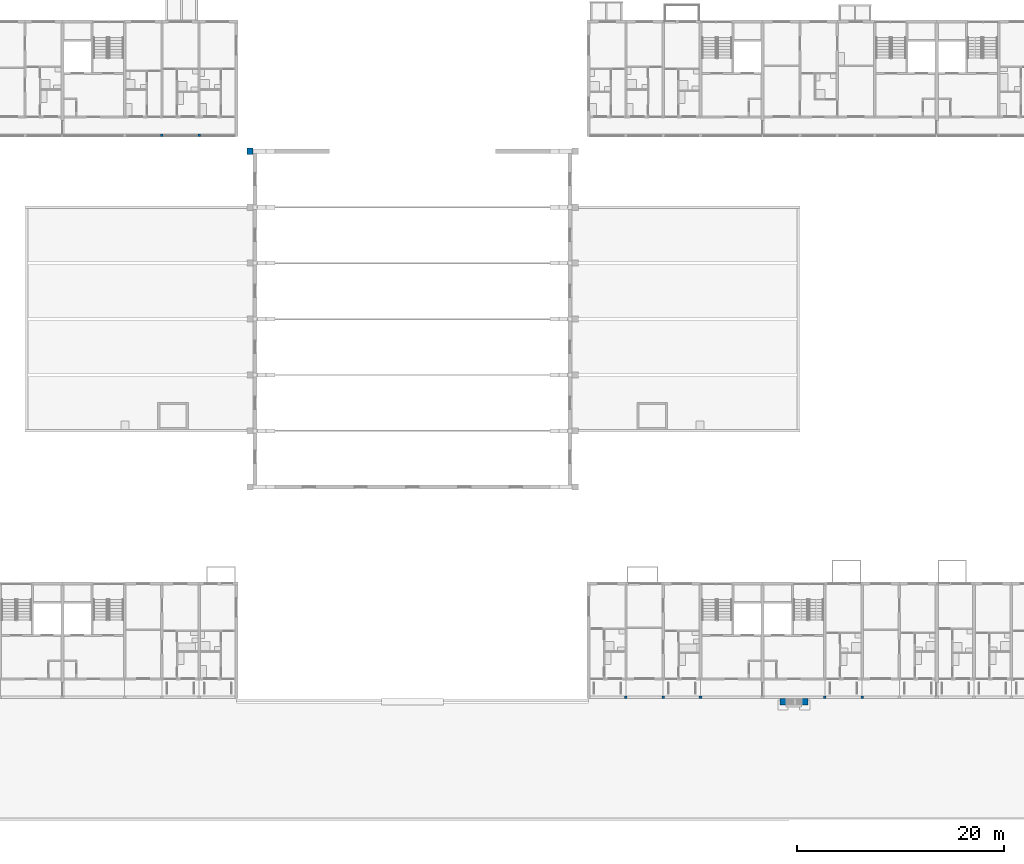
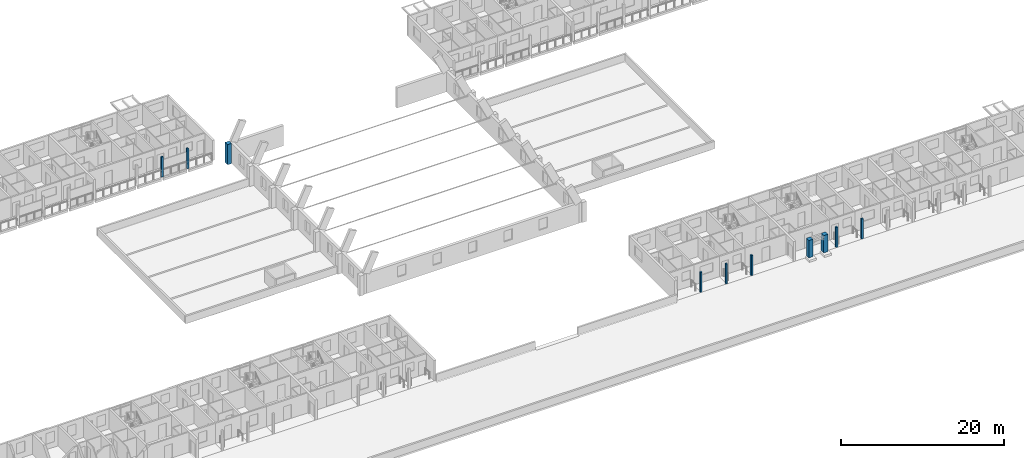
# One storey, part 5 of 115: 10 columns.
"""IFC4 building model written with IfcOpenShell, lengths in metres."""

from ifc_helpers import new_model, si_unit, direction, frame, origin, origin_2d, place, context, subcontext, project, spatial, rectangle, extrude, material, material_profile, profile_set, type_object, element, save


model = new_model("IFC4")

# Units and contexts
model_context = context("Model", 3, precision=1e-05, world=origin(), true_north=direction((0.0, 1.0)))
body_context = subcontext(model_context, "Body", "Model", "MODEL_VIEW")
ifc_project = project(units=[si_unit("LENGTHUNIT", "METRE"), si_unit("AREAUNIT", "SQUARE_METRE"), si_unit("VOLUMEUNIT", "CUBIC_METRE"), si_unit("PLANEANGLEUNIT", "RADIAN"), si_unit("MASSUNIT", "GRAM", prefix="KILO")], contexts=[model_context])

# Site, building, storey
site_placement = place(None, origin())
site = spatial("IfcSite", under=ifc_project, at=site_placement, CompositionType="ELEMENT")
building_placement = place(site_placement, origin())
building = spatial("IfcBuilding", under=site, at=building_placement, Name="Ridgestep Commons", CompositionType="ELEMENT")
storey_placement = place(building_placement, frame((0.0, 0.0, 6.0)))
storey = spatial("IfcBuildingStorey", under=building, at=storey_placement, Name="L02", CompositionType="ELEMENT", Elevation=6.0)

# Columns
ifc_material_1 = material(Name="Precast concrete C40/50", Category="concrete")
ifc_material_profile_1 = material_profile(ifc_material_1, rectangle(XDim=0.60009765625, YDim=0.60009765625, at=origin_2d()), Name="Buttress pier 600 x 600")
ifc_profile_set_1 = profile_set([ifc_material_profile_1], Name="Precast concrete C40/50")
column_type_1 = type_object("IfcColumnType", Name="Buttress pier 600 x 600", PredefinedType="COLUMN", material=ifc_profile_set_1)
column_placement = place(storey_placement, frame((114.10009765625, 64.60009765625, 0.0), z_axis=(0.0, 0.0, 1.0), x_axis=(1.0, 0.0, 0.0)))
element("IfcColumn", 1, at=column_placement, inside=storey, type_object=column_type_1, Name="Hall vault buttress pier", PredefinedType="COLUMN", context=body_context, shape_type="SweptSolid", body=[
    extrude(rectangle(XDim=0.60009765625, YDim=0.60009765625, at=origin_2d()), origin(), (0.0, 0.0, 1.0), 3.0),
])
ifc_material_2 = material(Name="Precast concrete C40/50", Category="concrete")
ifc_material_profile_2 = material_profile(ifc_material_2, rectangle(XDim=0.25, YDim=0.25, at=origin_2d()), Name="PC 250x250")
ifc_profile_set_2 = profile_set([ifc_material_profile_2], Name="Precast concrete C40/50")
column_type_2 = type_object("IfcColumnType", Name="Loggia column 250 x 250", PredefinedType="COLUMN", material=ifc_profile_set_2)
for number, where, z_axis, x_axis, name in (
    (2, (105.60009765625, 66.125, 0.0), (0.0, 0.0, 1.0), (1.0, 0.0, 0.0), "Loggia column B L02"),
    (3, (109.199951171875, 66.125, 0.0), (0.0, 0.0, 1.0), (1.0, 0.0, 0.0), "Loggia column B L02"),
    (4, (150.39990234375, 11.875, 0.0), (0.0, 0.0, 1.0), (1.0, 0.0, 0.0), "Loggia column D L02"),
    (5, (154.0, 11.875, 0.0), (0.0, 0.0, 1.0), (1.0, 0.0, 0.0), "Loggia column D L02"),
    (6, (157.60009765625, 11.875, 0.0), (0.0, 0.0, 1.0), (1.0, 0.0, 0.0), "Loggia column D L02"),
    (7, (169.60009765625, 11.875, 0.0), (0.0, 0.0, 1.0), (1.0, 0.0, 0.0), "Loggia column D L02"),
    (8, (173.199951171875, 11.875, 0.0), (0.0, 0.0, 1.0), (1.0, 0.0, 0.0), "Loggia column D L02"),
):
    element("IfcColumn", number, at=place(storey_placement, frame(where, z_axis=z_axis, x_axis=x_axis)), inside=storey, type_object=column_type_2, Name=name, PredefinedType="COLUMN", context=body_context, shape_type="SweptSolid", body=[
        extrude(rectangle(XDim=0.25, YDim=0.25, at=origin_2d()), origin(), (0.0, 0.0, 1.0), 3.0),
    ])
ifc_material_3 = material(Name="Precast concrete C40/50", Category="concrete")
ifc_material_profile_3 = material_profile(ifc_material_3, rectangle(XDim=0.60009765625, YDim=0.60009765625, at=origin_2d()), Name="PC 600x600")
ifc_profile_set_3 = profile_set([ifc_material_profile_3], Name="Precast concrete C40/50")
column_type_3 = type_object("IfcColumnType", Name="Portal pier 600 x 600", PredefinedType="COLUMN", material=ifc_profile_set_3)
for number, where, z_axis, x_axis, name in (
    (9, (165.5625, 11.449951171875, 0.300048828125), (0.0, 0.0, 1.0), (1.0, 0.0, 0.0), "Portal pier D1"),
    (10, (167.66259765625, 11.449951171875, 0.300048828125), (0.0, 0.0, 1.0), (1.0, 0.0, 0.0), "Portal pier D2"),
):
    element("IfcColumn", number, at=place(storey_placement, frame(where, z_axis=z_axis, x_axis=x_axis)), inside=storey, type_object=column_type_3, Name=name, PredefinedType="COLUMN", context=body_context, shape_type="SweptSolid", body=[
        extrude(rectangle(XDim=0.60009765625, YDim=0.60009765625, at=origin_2d()), origin(), (0.0, 0.0, 1.0), 2.599853515625),
    ])

save(model, "model.ifc")
